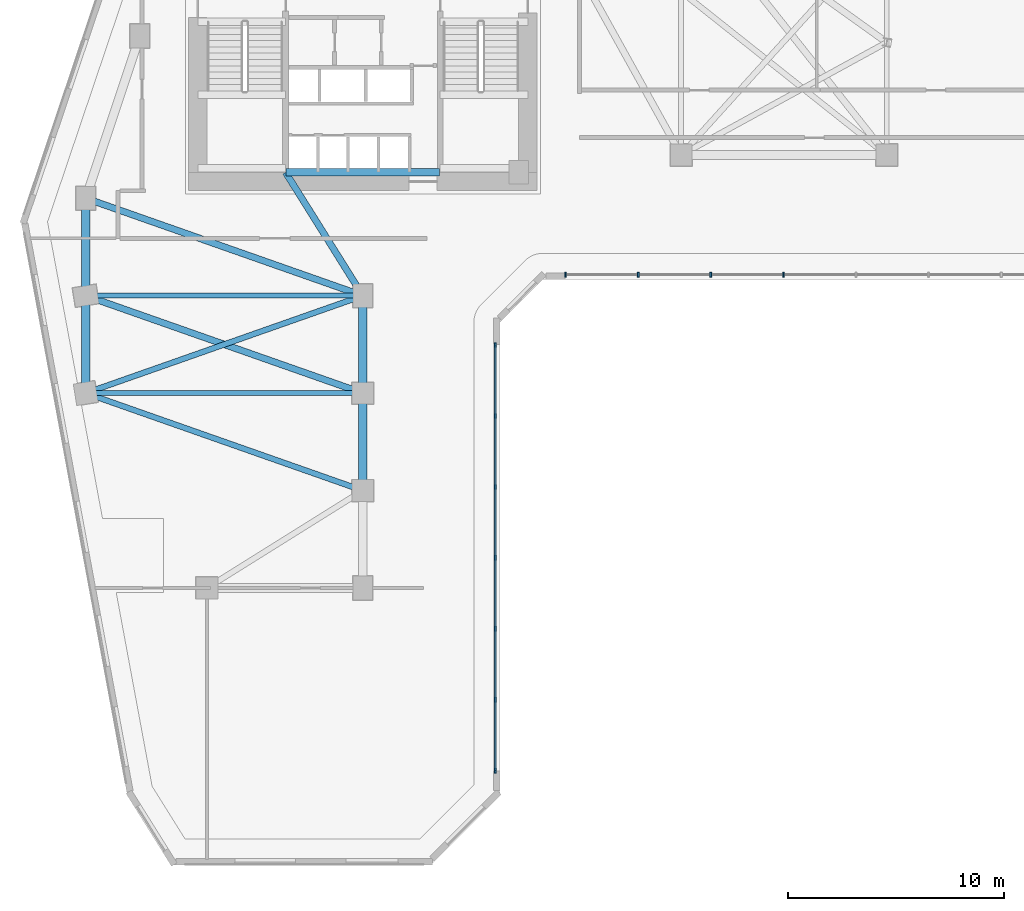
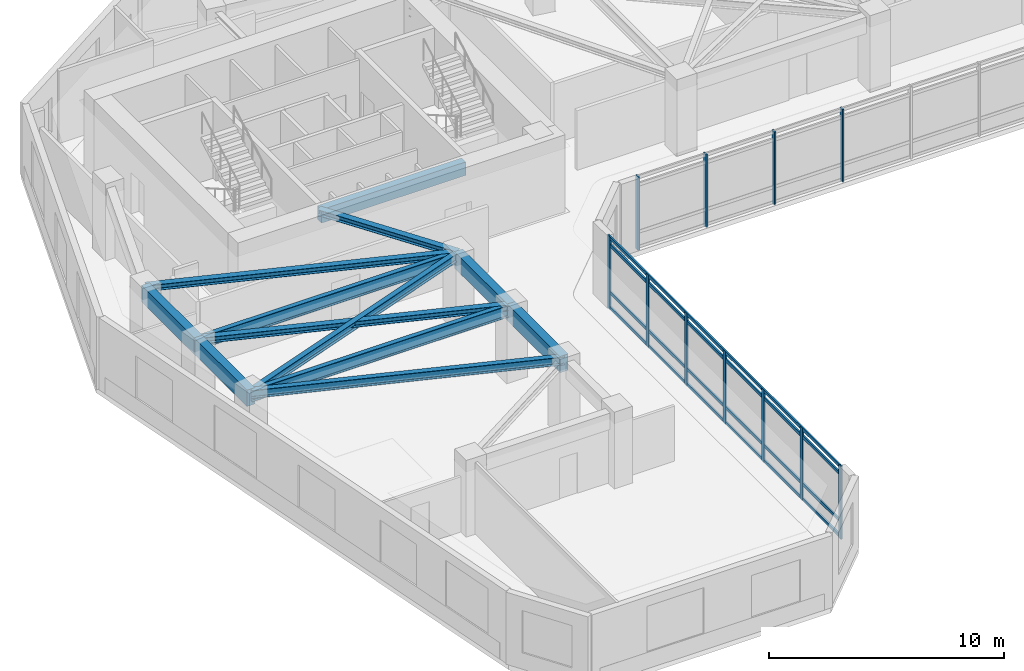
# One storey, part 2 of 11: 15 members, 12 beams, 2 elements without a shape of their own.
"""IFC4 building model written with IfcOpenShell, lengths in metres."""

from ifc_helpers import new_model, si_unit, direction, frame, origin, origin_2d, place, context, subcontext, project, spatial, rectangle, i_section, extrude, source, transform, mapped, material, material_profile, profile_set, type_object, element, aggregate, save


model = new_model("IFC4")

# Units and contexts
model_context = context("Model", 3, precision=1e-05, world=origin(), true_north=direction((0.0, 1.0)))
body_context = subcontext(model_context, "Body", "Model", "MODEL_VIEW")
ifc_project = project(units=[si_unit("LENGTHUNIT", "METRE"), si_unit("AREAUNIT", "SQUARE_METRE"), si_unit("VOLUMEUNIT", "CUBIC_METRE"), si_unit("PLANEANGLEUNIT", "RADIAN"), si_unit("MASSUNIT", "GRAM", prefix="KILO")], contexts=[model_context])

# Site, building, storey
site_placement = place(None, origin())
site = spatial("IfcSite", under=ifc_project, at=site_placement, CompositionType="ELEMENT")
building_placement = place(site_placement, origin())
building = spatial("IfcBuilding", under=site, at=building_placement, Name="Calvemar Wedge Station Tower", CompositionType="ELEMENT")
storey_placement = place(building_placement, frame((0.0, 0.0, 35.0)))
storey = spatial("IfcBuildingStorey", under=building, at=storey_placement, Name="L08", CompositionType="ELEMENT", Elevation=35.0)

# Beams
ifc_material_1 = material(Name="Concrete C60", Category="concrete")
ifc_material_profile_1 = material_profile(ifc_material_1, rectangle(XDim=0.39990234375, YDim=0.85009765625, at=origin_2d()), Name="RC400x850")
ifc_profile_set_1 = profile_set([ifc_material_profile_1], Name="Concrete C60")
beam_type_1 = type_object("IfcBeamType", Name="BM-SP1-850", PredefinedType="SPANDREL", material=ifc_profile_set_1)
shared_shape_1 = source(origin(), body_context, "Body", "SweptSolid", [
    extrude(rectangle(XDim=0.39990234375, YDim=0.85009765625, at=origin_2d()), origin(), (0.0, 0.0, 1.0), 4.5),
])
for number, where, z_axis, x_axis, name in (
    (1, (11.0, 33.0, 3.324951171875), (0.0, -1.0, 0.0), (1.0, 0.0, 0.0), "Storey L08 Spandrel T-NW1-T-SW1"),
    (2, (11.0, 28.5, 3.324951171875), (0.0, -1.0, 0.0), (1.0, 0.0, 0.0), "Storey L08 Spandrel T-SW1-T-SW2"),
    (3, (23.800048828125, 28.5, 3.324951171875), (0.0, -1.0, 0.0), (1.0, 0.0, 0.0), "Storey L08 Spandrel T-SE1-T-SE2"),
    (4, (23.800048828125, 24.0, 3.324951171875), (0.0, -1.0, 0.0), (1.0, 0.0, 0.0), "Storey L08 Spandrel T-SE2-T-SE3"),
):
    element("IfcBeam", number, at=place(storey_placement, frame(where, z_axis=z_axis, x_axis=x_axis)), inside=storey, type_object=beam_type_1, Name=name, PredefinedType="SPANDREL", context=body_context, shape_type="MappedRepresentation", body=[
        mapped(shared_shape_1, transform((0.0, 0.0, 0.0), scale=1.0)),
    ])
ifc_material_2 = material(Name="Structural steel ASTM A572 Grade 50", Category="steel")
ifc_material_profile_2 = material_profile(ifc_material_2, i_section(OverallWidth=0.22998046875, OverallDepth=0.616943359375, WebThickness=0.01318359375, FlangeThickness=0.022216796875, FilletRadius=0.012939453125, at=origin_2d()), Name="W610x140")
ifc_profile_set_2 = profile_set([ifc_material_profile_2], Name="Structural steel ASTM A572 Grade 50")
beam_type_2 = type_object("IfcBeamType", Name="BM-SB2-W610", PredefinedType="BEAM", material=ifc_profile_set_2)
shared_shape_2 = source(origin(), body_context, "Body", "SweptSolid", [
    extrude(i_section(OverallWidth=0.22998046875, OverallDepth=0.616943359375, WebThickness=0.01318359375, FlangeThickness=0.022216796875, FilletRadius=0.012939453125, at=origin_2d()), origin(), (0.0, 0.0, 1.0), 12.800048828125),
])
for number, where, z_axis, x_axis, name in (
    (5, (11.0, 28.5, 3.44140625), (1.0, 0.0, 0.0), (0.0, 1.0, 0.0), "Storey L08 Floor Beam T-SW1-T-SE1"),
    (6, (11.0, 24.0, 3.44140625), (1.0, 0.0, 0.0), (0.0, 1.0, 0.0), "Storey L08 Floor Beam T-SW2-T-SE2"),
):
    element("IfcBeam", number, at=place(storey_placement, frame(where, z_axis=z_axis, x_axis=x_axis)), inside=storey, type_object=beam_type_2, Name=name, PredefinedType="BEAM", context=body_context, shape_type="MappedRepresentation", body=[
        mapped(shared_shape_2, transform((0.0, 0.0, 0.0), scale=1.0)),
    ])
ifc_material_3 = material(Name="Concrete C70", Category="concrete")
ifc_material_profile_3 = material_profile(ifc_material_3, rectangle(XDim=0.35009765625, YDim=0.699951171875, at=origin_2d()), Name="RC350x700")
ifc_profile_set_3 = profile_set([ifc_material_profile_3], Name="Concrete C70")
beam_type_3 = type_object("IfcBeamType", Name="BM-LN1-700", PredefinedType="LINTEL", material=ifc_profile_set_3)
shared_shape_3 = source(origin(), body_context, "Body", "SweptSolid", [
    extrude(rectangle(XDim=0.35009765625, YDim=0.699951171875, at=origin_2d()), origin(), (0.0, 0.0, 1.0), 7.10009765625),
])
beam_1_placement = place(storey_placement, frame((20.25, 34.199951171875, 3.39990234375), z_axis=(1.0, 0.0, 0.0), x_axis=(0.0, 1.0, 0.0)))
element("IfcBeam", 7, at=beam_1_placement, inside=storey, type_object=beam_type_3, Name="Storey L08 Core Coupling Lintel South", PredefinedType="LINTEL", context=body_context, shape_type="MappedRepresentation", body=[
    mapped(shared_shape_3, transform((0.0, 0.0, 0.0), scale=1.0)),
])
ifc_material_profile_4 = material_profile(ifc_material_2, i_section(OverallWidth=0.304931640625, OverallDepth=0.30810546875, WebThickness=0.010009765625, FlangeThickness=0.015380859375, FilletRadius=0.014892578125, at=origin_2d()), Name="W310x97")
ifc_profile_set_4 = profile_set([ifc_material_profile_4], Name="Structural steel ASTM A572 Grade 50")
beam_type_4 = type_object("IfcBeamType", Name="BM-J6-W310", PredefinedType="JOIST", material=ifc_profile_set_4)
shared_shape_4 = source(origin(), body_context, "Body", "SweptSolid", [
    extrude(i_section(OverallWidth=0.304931640625, OverallDepth=0.30810546875, WebThickness=0.010009765625, FlangeThickness=0.015380859375, FilletRadius=0.014892578125, at=origin_2d()), origin(), (0.0, 0.0, 1.0), 13.568115234375),
])
for number, where, z_axis, x_axis, name in (
    (8, (11.0, 33.0, 3.595947265625), (0.943398221169, -0.331662171939, 0.0), (0.331662171939, 0.943398221169, 0.0), "Storey L08 Floor Beam T-NW1-T-SE1"),
    (9, (11.0, 28.5, 3.595947265625), (0.943398221169, -0.331662171939, 0.0), (0.331662171939, 0.943398221169, 0.0), "Storey L08 Floor Beam T-SW1-T-SE2"),
):
    element("IfcBeam", number, at=place(storey_placement, frame(where, z_axis=z_axis, x_axis=x_axis)), inside=storey, type_object=beam_type_4, Name=name, PredefinedType="JOIST", context=body_context, shape_type="MappedRepresentation", body=[
        mapped(shared_shape_4, transform((0.0, 0.0, 0.0), scale=1.0)),
    ])
ifc_material_profile_5 = material_profile(ifc_material_2, i_section(OverallWidth=0.260986328125, OverallDepth=0.419921875, WebThickness=0.01171875, FlangeThickness=0.019287109375, FilletRadius=0.012939453125, at=origin_2d()), Name="W410x114")
ifc_profile_set_5 = profile_set([ifc_material_profile_5], Name="Structural steel ASTM A572 Grade 50")
beam_type_5 = type_object("IfcBeamType", Name="BM-J2-W410H", PredefinedType="JOIST", material=ifc_profile_set_5)
shared_shape_5 = source(origin(), body_context, "Body", "SweptSolid", [
    extrude(i_section(OverallWidth=0.260986328125, OverallDepth=0.419921875, WebThickness=0.01171875, FlangeThickness=0.019287109375, FilletRadius=0.012939453125, at=origin_2d()), origin(), (0.0, 0.0, 1.0), 13.568115234375),
])
for number, where, z_axis, x_axis, name in (
    (10, (23.800048828125, 28.5, 3.5400390625), (-0.943398221169, -0.331662171939, 0.0), (0.331662171939, -0.943398221169, 0.0), "Storey L08 Floor Beam T-SE1-T-SW2"),
    (11, (11.0, 24.0, 3.5400390625), (0.943398221169, -0.331662171939, 0.0), (0.331662171939, 0.943398221169, 0.0), "Storey L08 Floor Beam T-SW2-T-SE3"),
):
    element("IfcBeam", number, at=place(storey_placement, frame(where, z_axis=z_axis, x_axis=x_axis)), inside=storey, type_object=beam_type_5, Name=name, PredefinedType="JOIST", context=body_context, shape_type="MappedRepresentation", body=[
        mapped(shared_shape_5, transform((0.0, 0.0, 0.0), scale=1.0)),
    ])
shared_shape_6 = source(origin(), body_context, "Body", "SweptSolid", [
    extrude(i_section(OverallWidth=0.304931640625, OverallDepth=0.30810546875, WebThickness=0.010009765625, FlangeThickness=0.015380859375, FilletRadius=0.014892578125, at=origin_2d()), origin(), (0.0, 0.0, 1.0), 6.7255859375),
])
beam_2_placement = place(storey_placement, frame((20.22998046875, 34.199951171875, 3.595947265625), z_axis=(0.530811158438, -0.847490126242, 0.0), x_axis=(0.847490126242, 0.530811158438, 0.0)))
element("IfcBeam", 12, at=beam_2_placement, inside=storey, type_object=beam_type_4, Name="Storey L08 Core-to-Column Joist CJ-S2", PredefinedType="JOIST", context=body_context, shape_type="MappedRepresentation", body=[
    mapped(shared_shape_6, transform((0.0, 0.0, 0.0), scale=1.0)),
])

# Curtain wall, members
ifc_material_4 = material(Name="Anodised aluminium 6063-T6", Category="aluminium")
curtain_wall_type = type_object("IfcCurtainWallType", Name="CW1", PredefinedType="NOTDEFINED", material=ifc_material_4)
curtain_wall_1_placement = place(storey_placement, origin())
curtain_wall_1 = element("IfcCurtainWall", 13, at=curtain_wall_1_placement, inside=storey, type_object=curtain_wall_type, Name="Storey L08 CW1 Recessed Unitised Curtain Wall 4", PredefinedType="NOTDEFINED")
ifc_material_profile_6 = material_profile(ifc_material_4, rectangle(XDim=0.080078125, YDim=0.219970703125, at=origin_2d()), Name="AL-MUL-80x220")
ifc_profile_set_6 = profile_set([ifc_material_profile_6], Name="Anodised aluminium 6063-T6")
member_type_1 = type_object("IfcMemberType", Name="CW1-MUL", PredefinedType="MULLION", material=ifc_profile_set_6)
shared_shape_7 = source(origin(), body_context, "Body", "SweptSolid", [
    extrude(rectangle(XDim=0.080078125, YDim=0.219970703125, at=origin_2d()), origin(), (0.0, 0.0, 1.0), 3.800048828125),
])
member_1_placement = place(storey_placement, frame((29.91796875, 6.56201171875, -0.050048828125), z_axis=(0.0, 0.0, 1.0), x_axis=(1.0, 0.0, 0.0)))
member_1 = element("IfcMember", 14, at=member_1_placement, type_object=member_type_1, Name="CW1 mullion 1", PredefinedType="MULLION", context=body_context, shape_type="MappedRepresentation", body=[
    mapped(shared_shape_7, transform((0.0, 0.0, 0.0), scale=1.0)),
])
member_2_placement = place(storey_placement, frame((29.91796875, 9.8388671875, -0.050048828125), z_axis=(0.0, 0.0, 1.0), x_axis=(1.0, 0.0, 0.0)))
member_2 = element("IfcMember", 15, at=member_2_placement, type_object=member_type_1, Name="CW1 mullion 2", PredefinedType="MULLION", context=body_context, shape_type="MappedRepresentation", body=[
    mapped(shared_shape_7, transform((0.0, 0.0, 0.0), scale=1.0)),
])
member_3_placement = place(storey_placement, frame((29.91796875, 13.115478515625, -0.050048828125), z_axis=(0.0, 0.0, 1.0), x_axis=(1.0, 0.0, 0.0)))
member_3 = element("IfcMember", 16, at=member_3_placement, type_object=member_type_1, Name="CW1 mullion 3", PredefinedType="MULLION", context=body_context, shape_type="MappedRepresentation", body=[
    mapped(shared_shape_7, transform((0.0, 0.0, 0.0), scale=1.0)),
])
member_4_placement = place(storey_placement, frame((29.91796875, 16.39208984375, -0.050048828125), z_axis=(0.0, 0.0, 1.0), x_axis=(1.0, 0.0, 0.0)))
member_4 = element("IfcMember", 17, at=member_4_placement, type_object=member_type_1, Name="CW1 mullion 4", PredefinedType="MULLION", context=body_context, shape_type="MappedRepresentation", body=[
    mapped(shared_shape_7, transform((0.0, 0.0, 0.0), scale=1.0)),
])
member_5_placement = place(storey_placement, frame((29.91796875, 19.668701171875, -0.050048828125), z_axis=(0.0, 0.0, 1.0), x_axis=(1.0, 0.0, 0.0)))
member_5 = element("IfcMember", 18, at=member_5_placement, type_object=member_type_1, Name="CW1 mullion 5", PredefinedType="MULLION", context=body_context, shape_type="MappedRepresentation", body=[
    mapped(shared_shape_7, transform((0.0, 0.0, 0.0), scale=1.0)),
])
member_6_placement = place(storey_placement, frame((29.91796875, 22.9453125, -0.050048828125), z_axis=(0.0, 0.0, 1.0), x_axis=(1.0, 0.0, 0.0)))
member_6 = element("IfcMember", 19, at=member_6_placement, type_object=member_type_1, Name="CW1 mullion 6", PredefinedType="MULLION", context=body_context, shape_type="MappedRepresentation", body=[
    mapped(shared_shape_7, transform((0.0, 0.0, 0.0), scale=1.0)),
])
member_7_placement = place(storey_placement, frame((29.91796875, 26.22216796875, -0.050048828125), z_axis=(0.0, 0.0, 1.0), x_axis=(1.0, 0.0, 0.0)))
member_7 = element("IfcMember", 20, at=member_7_placement, type_object=member_type_1, Name="CW1 mullion 7", PredefinedType="MULLION", context=body_context, shape_type="MappedRepresentation", body=[
    mapped(shared_shape_7, transform((0.0, 0.0, 0.0), scale=1.0)),
])

curtain_wall_2_placement = place(storey_placement, origin())
curtain_wall_2 = element("IfcCurtainWall", 21, at=curtain_wall_2_placement, inside=storey, type_object=curtain_wall_type, Name="Storey L08 CW1 Recessed Unitised Curtain Wall 6", PredefinedType="NOTDEFINED")
member_8_placement = place(storey_placement, frame((33.166015625, 29.469970703125, -0.050048828125), z_axis=(0.0, 0.0, 1.0), x_axis=(1.0, 0.0, 0.0)))
member_8 = element("IfcMember", 22, at=member_8_placement, type_object=member_type_1, Name="CW1 mullion 1", PredefinedType="MULLION", context=body_context, shape_type="MappedRepresentation", body=[
    mapped(shared_shape_7, transform((0.0, 0.0, 0.0), scale=1.0)),
])
member_9_placement = place(storey_placement, frame((36.51904296875, 29.469970703125, -0.050048828125), z_axis=(0.0, 0.0, 1.0), x_axis=(1.0, 0.0, 0.0)))
member_9 = element("IfcMember", 23, at=member_9_placement, type_object=member_type_1, Name="CW1 mullion 2", PredefinedType="MULLION", context=body_context, shape_type="MappedRepresentation", body=[
    mapped(shared_shape_7, transform((0.0, 0.0, 0.0), scale=1.0)),
])
member_10_placement = place(storey_placement, frame((39.872314453125, 29.469970703125, -0.050048828125), z_axis=(0.0, 0.0, 1.0), x_axis=(1.0, 0.0, 0.0)))
member_10 = element("IfcMember", 24, at=member_10_placement, type_object=member_type_1, Name="CW1 mullion 3", PredefinedType="MULLION", context=body_context, shape_type="MappedRepresentation", body=[
    mapped(shared_shape_7, transform((0.0, 0.0, 0.0), scale=1.0)),
])
member_11_placement = place(storey_placement, frame((43.225341796875, 29.469970703125, -0.050048828125), z_axis=(0.0, 0.0, 1.0), x_axis=(1.0, 0.0, 0.0)))
member_11 = element("IfcMember", 25, at=member_11_placement, type_object=member_type_1, Name="CW1 mullion 4", PredefinedType="MULLION", context=body_context, shape_type="MappedRepresentation", body=[
    mapped(shared_shape_7, transform((0.0, 0.0, 0.0), scale=1.0)),
])
aggregate(curtain_wall_2, [member_8, member_9, member_10, member_11])

# Member
ifc_material_profile_7 = material_profile(ifc_material_4, rectangle(XDim=0.080078125, YDim=0.159912109375, at=origin_2d()), Name="AL-TRN-80x160")
ifc_profile_set_7 = profile_set([ifc_material_profile_7], Name="Anodised aluminium 6063-T6")
member_type_2 = type_object("IfcMemberType", Name="CW1-TRN", PredefinedType="USERDEFINED", material=ifc_profile_set_7)
shared_shape_8 = source(origin(), body_context, "Body", "SweptSolid", [
    extrude(rectangle(XDim=0.080078125, YDim=0.159912109375, at=origin_2d()), origin(), (0.0, 0.0, 1.0), 19.66015625),
])
member_12_placement = place(storey_placement, frame((29.91796875, 6.56201171875, 0.06005859375), z_axis=(0.0, 1.0, 0.0), x_axis=(-1.0, 0.0, 0.0)))
member_12 = element("IfcMember", 26, at=member_12_placement, type_object=member_type_2, Name="CW1 transom 1", ObjectType="TRANSOM", PredefinedType="USERDEFINED", context=body_context, shape_type="MappedRepresentation", body=[
    mapped(shared_shape_8, transform((0.0, 0.0, 0.0), scale=1.0)),
])

member_13_placement = place(storey_placement, frame((29.91796875, 6.56201171875, 0.85009765625), z_axis=(0.0, 1.0, 0.0), x_axis=(-1.0, 0.0, 0.0)))
member_13 = element("IfcMember", 27, at=member_13_placement, type_object=member_type_2, Name="CW1 transom 2", ObjectType="TRANSOM", PredefinedType="USERDEFINED", context=body_context, shape_type="MappedRepresentation", body=[
    mapped(shared_shape_8, transform((0.0, 0.0, 0.0), scale=1.0)),
])

member_14_placement = place(storey_placement, frame((29.91796875, 6.56201171875, 3.300048828125), z_axis=(0.0, 1.0, 0.0), x_axis=(-1.0, 0.0, 0.0)))
member_14 = element("IfcMember", 28, at=member_14_placement, type_object=member_type_2, Name="CW1 transom 3", ObjectType="TRANSOM", PredefinedType="USERDEFINED", context=body_context, shape_type="MappedRepresentation", body=[
    mapped(shared_shape_8, transform((0.0, 0.0, 0.0), scale=1.0)),
])

member_15_placement = place(storey_placement, frame((29.91796875, 6.56201171875, 3.68994140625), z_axis=(0.0, 1.0, 0.0), x_axis=(-1.0, 0.0, 0.0)))
member_15 = element("IfcMember", 29, at=member_15_placement, type_object=member_type_2, Name="CW1 transom 4", ObjectType="TRANSOM", PredefinedType="USERDEFINED", context=body_context, shape_type="MappedRepresentation", body=[
    mapped(shared_shape_8, transform((0.0, 0.0, 0.0), scale=1.0)),
])

aggregate(curtain_wall_1, [member_1, member_2, member_3, member_4, member_5, member_6, member_7, member_12, member_13, member_14, member_15])

save(model, "model.ifc")
